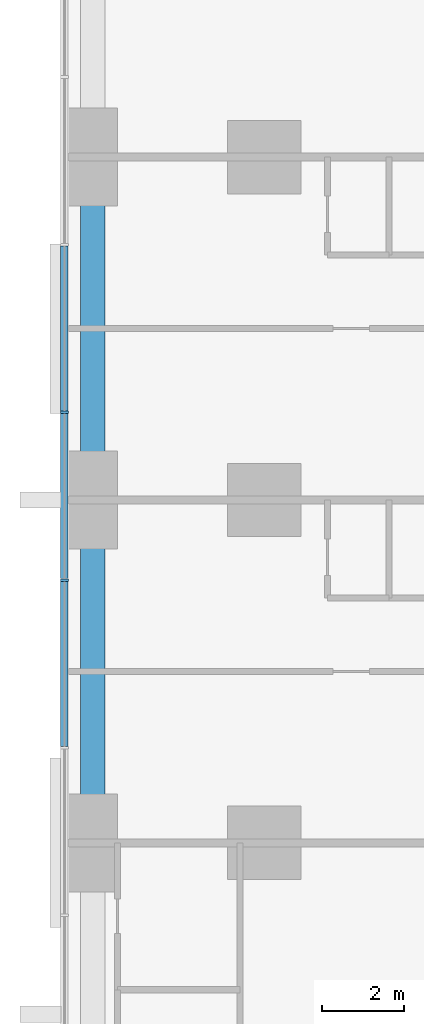
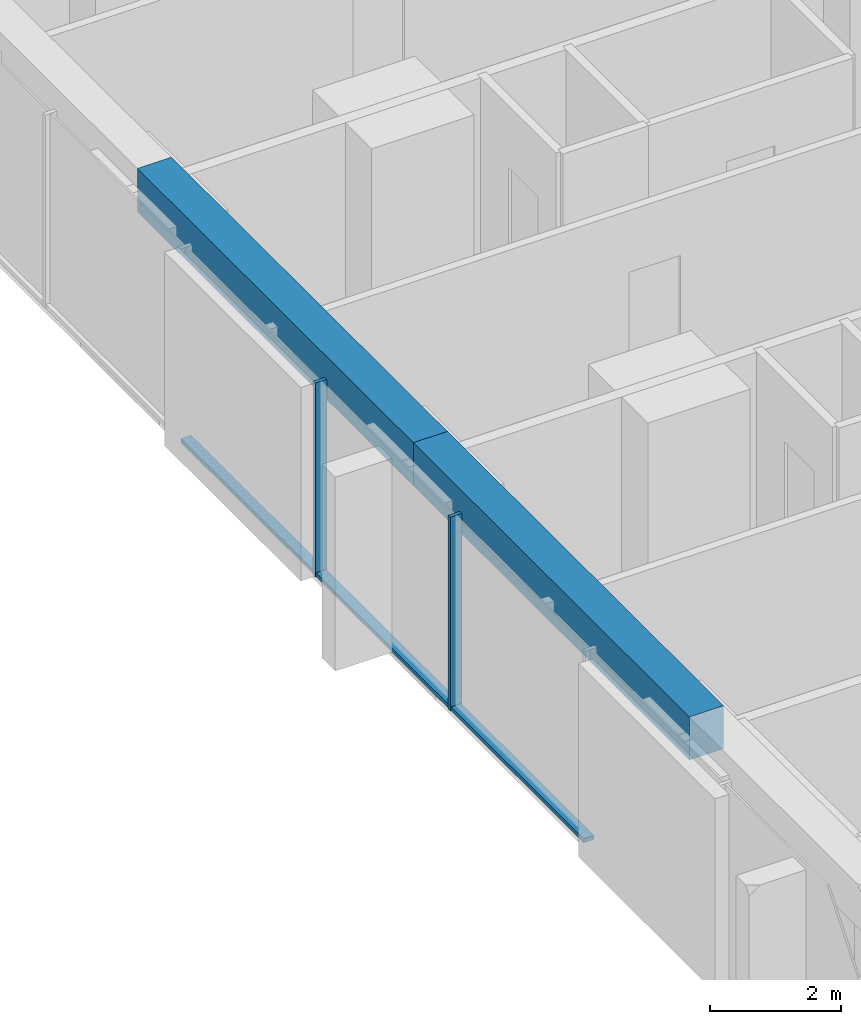
# One storey, part 3 of 17: 5 members, 2 beams, 1 element without a shape of its own.
"""IFC4 building model written with IfcOpenShell, lengths in metres."""

from ifc_helpers import new_model, si_unit, direction, frame, origin, origin_2d, place, context, subcontext, project, spatial, rectangle, extrude, material, material_profile, profile_set, type_object, element, aggregate, save


model = new_model("IFC4")

# Units and contexts
model_context = context("Model", 3, precision=1e-05, world=origin(), true_north=direction((0.0, 1.0)))
body_context = subcontext(model_context, "Body", "Model", "MODEL_VIEW")
ifc_project = project(units=[si_unit("LENGTHUNIT", "METRE"), si_unit("AREAUNIT", "SQUARE_METRE"), si_unit("VOLUMEUNIT", "CUBIC_METRE"), si_unit("PLANEANGLEUNIT", "RADIAN"), si_unit("MASSUNIT", "GRAM", prefix="KILO")], contexts=[model_context])

# Site, building, storey
site_placement = place(None, origin())
site = spatial("IfcSite", under=ifc_project, at=site_placement, CompositionType="ELEMENT")
building_placement = place(site_placement, origin())
building = spatial("IfcBuilding", under=site, at=building_placement, Name="Dunama Terrace Hotel", CompositionType="ELEMENT")
storey_placement = place(building_placement, frame((0.0, 0.0, 55.800048828125)))
storey = spatial("IfcBuildingStorey", under=building, at=storey_placement, Name="L13", CompositionType="ELEMENT", Elevation=55.800048828125)

# Curtain wall, members
ifc_material_1 = material(Name="Aluminium curtain wall system", Category="aluminium")
curtain_wall_type = type_object("IfcCurtainWallType", Name="Unitised fritted glass wall CW-A", PredefinedType="NOTDEFINED", material=ifc_material_1)
curtain_wall_placement = place(storey_placement, origin())
curtain_wall = element("IfcCurtainWall", 1, at=curtain_wall_placement, inside=storey, type_object=curtain_wall_type, Name="Unitised fritted glass wall CW-A L13", PredefinedType="NOTDEFINED")
ifc_material_2 = material(Name="Aluminium mullion", Category="aluminium")
ifc_material_profile_1 = material_profile(ifc_material_2, rectangle(XDim=0.06494140625, YDim=0.199951171875, at=origin_2d()), Name="CWA MULLION 65X200")
ifc_profile_set_1 = profile_set([ifc_material_profile_1], Name="Aluminium mullion")
member_type_1 = type_object("IfcMemberType", Name="CWA mullion 65x200", PredefinedType="MULLION", material=ifc_profile_set_1)
member_1_placement = place(storey_placement, frame((-0.10009765625, 27.345947265625, 0.0), z_axis=(0.0, 0.0, 1.0), x_axis=(0.0, -1.0, 0.0)))
member_1 = element("IfcMember", 2, at=member_1_placement, type_object=member_type_1, Name="CWA mullion", PredefinedType="MULLION", context=body_context, shape_type="SweptSolid", body=[
    extrude(rectangle(XDim=0.06494140625, YDim=0.199951171875, at=origin_2d()), origin(), (0.0, 0.0, 1.0), 3.599853515625),
])
member_2_placement = place(storey_placement, frame((-0.10009765625, 23.238037109375, 0.0), z_axis=(0.0, 0.0, 1.0), x_axis=(0.0, -1.0, 0.0)))
member_2 = element("IfcMember", 3, at=member_2_placement, type_object=member_type_1, Name="CWA mullion", PredefinedType="MULLION", context=body_context, shape_type="SweptSolid", body=[
    extrude(rectangle(XDim=0.06494140625, YDim=0.199951171875, at=origin_2d()), origin(), (0.0, 0.0, 1.0), 3.599853515625),
])
ifc_material_3 = material(Name="Aluminium transom", Category="aluminium")
ifc_material_profile_2 = material_profile(ifc_material_3, rectangle(XDim=0.179931640625, YDim=0.074951171875, at=origin_2d()), Name="CWA TRANSOM 180X75")
ifc_profile_set_2 = profile_set([ifc_material_profile_2], Name="Aluminium transom")
member_type_2 = type_object("IfcMemberType", Name="CWA transom 180x75", PredefinedType="USERDEFINED", material=ifc_profile_set_2)
member_3_placement = place(storey_placement, frame((-0.10009765625, 31.4208984375, 0.037353515625), z_axis=(0.0, -1.0, 0.0), x_axis=(1.0, 0.0, 0.0)))
member_3 = element("IfcMember", 4, at=member_3_placement, type_object=member_type_2, Name="CWA transom", ObjectType="TRANSOM", PredefinedType="USERDEFINED", context=body_context, shape_type="SweptSolid", body=[
    extrude(rectangle(XDim=0.179931640625, YDim=0.074951171875, at=origin_2d()), origin(), (0.0, 0.0, 1.0), 4.0419921875),
])
member_4_placement = place(storey_placement, frame((-0.10009765625, 27.31396484375, 0.037353515625), z_axis=(0.0, -1.0, 0.0), x_axis=(1.0, 0.0, 0.0)))
member_4 = element("IfcMember", 5, at=member_4_placement, type_object=member_type_2, Name="CWA transom", ObjectType="TRANSOM", PredefinedType="USERDEFINED", context=body_context, shape_type="SweptSolid", body=[
    extrude(rectangle(XDim=0.179931640625, YDim=0.074951171875, at=origin_2d()), origin(), (0.0, 0.0, 1.0), 4.04296875),
])
member_5_placement = place(storey_placement, frame((-0.10009765625, 23.2060546875, 0.037353515625), z_axis=(0.0, -1.0, 0.0), x_axis=(1.0, 0.0, 0.0)))
member_5 = element("IfcMember", 6, at=member_5_placement, type_object=member_type_2, Name="CWA transom", ObjectType="TRANSOM", PredefinedType="USERDEFINED", context=body_context, shape_type="SweptSolid", body=[
    extrude(rectangle(XDim=0.179931640625, YDim=0.074951171875, at=origin_2d()), origin(), (0.0, 0.0, 1.0), 4.04296875),
])
aggregate(curtain_wall, [member_1, member_2, member_3, member_4, member_5])

# Beams
ifc_material_4 = material(Name="Concrete C40/50", Category="concrete")
ifc_material_profile_3 = material_profile(ifc_material_4, rectangle(XDim=0.60009765625, YDim=0.800048828125, at=origin_2d()), Name="RC 600x800")
ifc_profile_set_3 = profile_set([ifc_material_profile_3], Name="Concrete C40/50")
beam_type = type_object("IfcBeamType", Name="Edge beam RC 600x800", PredefinedType="SPANDREL", material=ifc_profile_set_3)
beam_1_placement = place(storey_placement, frame((0.60009765625, 16.800048828125, 3.199951171875), z_axis=(0.0, 1.0, 0.0), x_axis=(-1.0, 0.0, 0.0)))
element("IfcBeam", 7, at=beam_1_placement, inside=storey, type_object=beam_type, Name="Edge beam under L14", PredefinedType="SPANDREL", context=body_context, shape_type="SweptSolid", body=[
    extrude(rectangle(XDim=0.60009765625, YDim=0.800048828125, at=origin_2d()), origin(), (0.0, 0.0, 1.0), 8.39990234375),
])
beam_2_placement = place(storey_placement, frame((0.60009765625, 25.199951171875, 3.199951171875), z_axis=(0.0, 1.0, 0.0), x_axis=(-1.0, 0.0, 0.0)))
element("IfcBeam", 8, at=beam_2_placement, inside=storey, type_object=beam_type, Name="Edge beam under L14", PredefinedType="SPANDREL", context=body_context, shape_type="SweptSolid", body=[
    extrude(rectangle(XDim=0.60009765625, YDim=0.800048828125, at=origin_2d()), origin(), (0.0, 0.0, 1.0), 8.400146484375),
])

save(model, "model.ifc")
